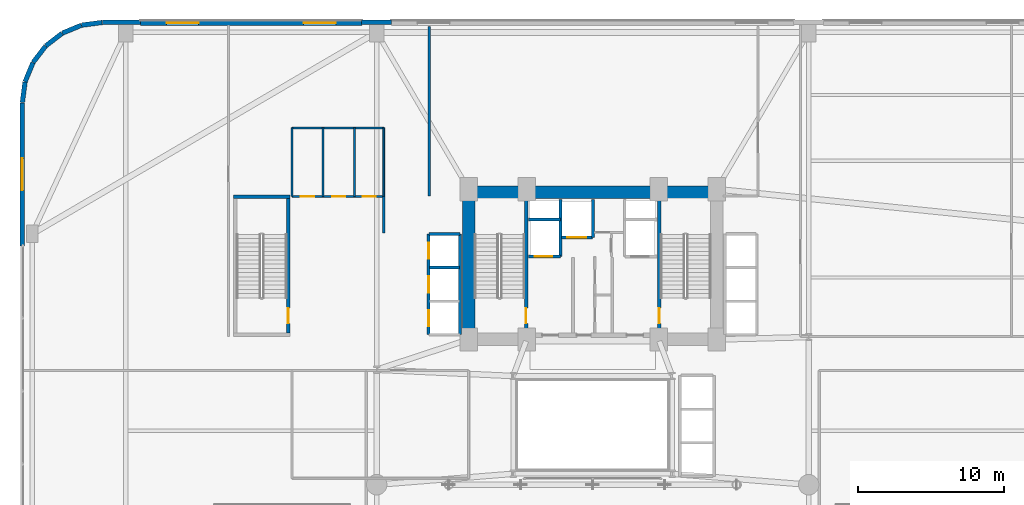
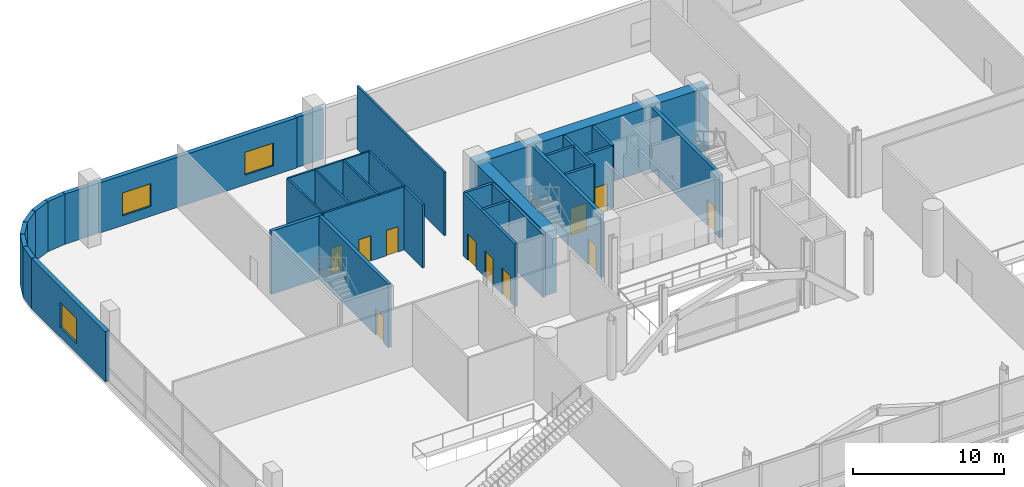
# One storey, part 27 of 36: 33 walls, 11 doors, 3 windows, 14 openings.
"""IFC4 building model written with IfcOpenShell, lengths in metres."""

from ifc_helpers import new_model, si_unit, direction, frame, frame_2d, origin, place, context, subcontext, project, spatial, rectangle, extrude, material, layer, layer_set, type_object, element, fill, save


model = new_model("IFC4")

# Units and contexts
model_context = context("Model", 3, precision=1e-05, world=origin(), true_north=direction((0.0, 1.0)))
body_context = subcontext(model_context, "Body", "Model", "MODEL_VIEW")
ifc_project = project(units=[si_unit("LENGTHUNIT", "METRE"), si_unit("AREAUNIT", "SQUARE_METRE"), si_unit("VOLUMEUNIT", "CUBIC_METRE"), si_unit("PLANEANGLEUNIT", "RADIAN"), si_unit("MASSUNIT", "GRAM", prefix="KILO")], contexts=[model_context])

# Site, building, storey
site_placement = place(None, origin())
site = spatial("IfcSite", under=ifc_project, at=site_placement, CompositionType="ELEMENT")
building_placement = place(site_placement, origin())
building = spatial("IfcBuilding", under=site, at=building_placement, Name="Varnelok Gate Tower", CompositionType="ELEMENT")
storey_placement = place(building_placement, frame((0.0, 0.0, 10.800048828125)))
storey = spatial("IfcBuildingStorey", under=building, at=storey_placement, Name="L02", CompositionType="ELEMENT", Elevation=10.800048828125)

# Wall, openings, windows
ifc_material_1 = material(Name="Concrete C45/55", Category="concrete")
ifc_layer_1 = layer(ifc_material_1, 0.320068359375)
ifc_layer_set_1 = layer_set([ifc_layer_1], Name="Concrete C45/55")
wall_type_1 = type_object("IfcWallType", Name="EW-POD-320", PredefinedType="SOLIDWALL", material=ifc_layer_set_1)
wall_1_placement = place(storey_placement, frame((8.199951171875, 50.43994140625, 0.0), z_axis=(0.0, 0.0, 1.0), x_axis=(1.0, 0.0, 0.0)))
wall_1 = element("IfcWall", 1, at=wall_1_placement, inside=storey, type_object=wall_type_1, Name="L02 North Podium Wall 1", PredefinedType="SOLIDWALL", context=body_context, shape_type="SweptSolid", body=[
    extrude(rectangle(XDim=15.199951171875, YDim=0.320068359375, at=frame_2d((7.60009765625, 0.0))), origin(), (0.0, 0.0, 1.0), 4.070068359375),
])
opening_1_placement = place(wall_1_placement, frame((1.800048828125, 0.0, 0.800048828125)))
opening_1 = element("IfcOpeningElement", 2, at=opening_1_placement, cuts=wall_1, Name="Opening WN2", PredefinedType="OPENING", context=body_context, shape_type="SweptSolid", body=[
    extrude(rectangle(XDim=2.199951171875, YDim=1.85009765625, at=frame_2d((1.10009765625, 0.925048828125))), frame((0.0, 0.169921875, 0.0), z_axis=(0.0, -1.0, 0.0), x_axis=(1.0, 0.0, 0.0)), (0.0, 0.0, 1.0), 0.340087890625),
])
opening_2_placement = place(wall_1_placement, frame((11.199951171875, 0.0, 0.800048828125)))
opening_2 = element("IfcOpeningElement", 3, at=opening_2_placement, cuts=wall_1, Name="Opening WN2", PredefinedType="OPENING", context=body_context, shape_type="SweptSolid", body=[
    extrude(rectangle(XDim=2.199951171875, YDim=1.85009765625, at=frame_2d((1.10009765625, 0.925048828125))), frame((0.0, 0.169921875, 0.0), z_axis=(0.0, -1.0, 0.0), x_axis=(1.0, 0.0, 0.0)), (0.0, 0.0, 1.0), 0.340087890625),
])
ifc_material_2 = material(Name="Low-E Laminated Double Glazing IGU", Category="glass")
window_type_1 = type_object("IfcWindowType", Name="WN-POD-2200", PartitioningType="SINGLE_PANEL", PredefinedType="WINDOW", material=ifc_material_2)
window_1_placement = place(opening_1_placement, origin())
window_1 = element("IfcWindow", 4, at=window_1_placement, inside=storey, type_object=window_type_1, Name="L02 Podium Window N1.1", OverallHeight=1.85009765625, OverallWidth=2.199951171875, PartitioningType="SINGLE_PANEL", PredefinedType="WINDOW", context=body_context, shape_type="SweptSolid", body=[
    extrude(rectangle(XDim=2.199951171875, YDim=1.85009765625, at=frame_2d((1.10009765625, 0.925048828125))), frame((0.0, 0.030029296875, 0.0), z_axis=(0.0, -1.0, 0.0), x_axis=(1.0, 0.0, 0.0)), (0.0, 0.0, 1.0), 0.06005859375),
])
fill(opening_1, window_1)
window_2_placement = place(opening_2_placement, origin())
window_2 = element("IfcWindow", 5, at=window_2_placement, inside=storey, type_object=window_type_1, Name="L02 Podium Window N1.2", OverallHeight=1.85009765625, OverallWidth=2.199951171875, PartitioningType="SINGLE_PANEL", PredefinedType="WINDOW", context=body_context, shape_type="SweptSolid", body=[
    extrude(rectangle(XDim=2.199951171875, YDim=1.85009765625, at=frame_2d((1.10009765625, 0.925048828125))), frame((0.0, 0.030029296875, 0.0), z_axis=(0.0, -1.0, 0.0), x_axis=(1.0, 0.0, 0.0)), (0.0, 0.0, 1.0), 0.06005859375),
])
fill(opening_2, window_2)

# Walls
wall_2_placement = place(storey_placement, frame((25.429931640625, 50.47998046875, 0.0), z_axis=(0.0, 0.0, 1.0), x_axis=(-1.0, 0.0, 0.0)))
element("IfcWall", 6, at=wall_2_placement, inside=storey, type_object=wall_type_1, Name="L02 Perimeter Facade Closure Wall 27", PredefinedType="SOLIDWALL", context=body_context, shape_type="SweptSolid", body=[
    extrude(rectangle(XDim=2.059814453125, YDim=0.320068359375, at=frame_2d((1.02978515625, 0.0))), origin(), (0.0, 0.0, 1.0), 4.070068359375),
])
wall_3_placement = place(storey_placement, frame((8.22998046875, 50.47998046875, 0.0), z_axis=(0.0, 0.0, 1.0), x_axis=(-1.0, 0.0, 0.0)))
element("IfcWall", 7, at=wall_3_placement, inside=storey, type_object=wall_type_1, Name="L02 Perimeter Facade Closure Wall 28", PredefinedType="SOLIDWALL", context=body_context, shape_type="SweptSolid", body=[
    extrude(rectangle(XDim=2.6220703125, YDim=0.320068359375, at=frame_2d((1.31103515625, 0.0))), origin(), (0.0, 0.0, 1.0), 4.070068359375),
])
wall_4_placement = place(storey_placement, frame((5.5830078125, 50.476806640625, 0.0), z_axis=(0.0, 0.0, 1.0), x_axis=(-0.991434880626, -0.130601981138, 0.0)))
element("IfcWall", 8, at=wall_4_placement, inside=storey, type_object=wall_type_1, Name="L02 Perimeter Facade Closure Wall 29", PredefinedType="SOLIDWALL", context=body_context, shape_type="SweptSolid", body=[
    extrude(rectangle(XDim=1.413330078125, YDim=0.320068359375, at=frame_2d((0.70654296875, 0.0))), origin(), (0.0, 0.0, 1.0), 4.070068359375),
])
wall_5_placement = place(storey_placement, frame((4.15869140625, 50.28271484375, 0.0), z_axis=(0.0, 0.0, 1.0), x_axis=(-0.923841042178, -0.382776343035, 0.0)))
element("IfcWall", 9, at=wall_5_placement, inside=storey, type_object=wall_type_1, Name="L02 Perimeter Facade Closure Wall 30", PredefinedType="SOLIDWALL", context=body_context, shape_type="SweptSolid", body=[
    extrude(rectangle(XDim=1.405029296875, YDim=0.320068359375, at=frame_2d((0.70263671875, 0.0))), origin(), (0.0, 0.0, 1.0), 4.070068359375),
])
wall_6_placement = place(storey_placement, frame((2.8408203125, 49.729736328125, 0.0), z_axis=(0.0, 0.0, 1.0), x_axis=(-0.79338541907, -0.60871962085, 0.0)))
element("IfcWall", 10, at=wall_6_placement, inside=storey, type_object=wall_type_1, Name="L02 Perimeter Facade Closure Wall 31", PredefinedType="SOLIDWALL", context=body_context, shape_type="SweptSolid", body=[
    extrude(rectangle(XDim=1.4052734375, YDim=0.320068359375, at=frame_2d((0.70263671875, 0.0))), origin(), (0.0, 0.0, 1.0), 4.070068359375),
])
wall_7_placement = place(storey_placement, frame((1.710693359375, 48.8544921875, 0.0), z_axis=(0.0, 0.0, 1.0), x_axis=(-0.608828954222, -0.793301521807, 0.0)))
element("IfcWall", 11, at=wall_7_placement, inside=storey, type_object=wall_type_1, Name="L02 Perimeter Facade Closure Wall 32", PredefinedType="SOLIDWALL", context=body_context, shape_type="SweptSolid", body=[
    extrude(rectangle(XDim=1.405517578125, YDim=0.320068359375, at=frame_2d((0.70263671875, 0.0))), origin(), (0.0, 0.0, 1.0), 4.070068359375),
])
wall_8_placement = place(storey_placement, frame((0.845703125, 47.71630859375, 0.0), z_axis=(0.0, 0.0, 1.0), x_axis=(-0.382924622758, -0.923779591291, 0.0)))
element("IfcWall", 12, at=wall_8_placement, inside=storey, type_object=wall_type_1, Name="L02 Perimeter Facade Closure Wall 33", PredefinedType="SOLIDWALL", context=body_context, shape_type="SweptSolid", body=[
    extrude(rectangle(XDim=1.4052734375, YDim=0.320068359375, at=frame_2d((0.70263671875, 0.0))), origin(), (0.0, 0.0, 1.0), 4.070068359375),
])
wall_9_placement = place(storey_placement, frame((0.304443359375, 46.393310546875, 0.0), z_axis=(0.0, 0.0, 1.0), x_axis=(-0.130432168094, -0.991457235349, 0.0)))
element("IfcWall", 13, at=wall_9_placement, inside=storey, type_object=wall_type_1, Name="L02 Perimeter Facade Closure Wall 34", PredefinedType="SOLIDWALL", context=body_context, shape_type="SweptSolid", body=[
    extrude(rectangle(XDim=1.4130859375, YDim=0.320068359375, at=frame_2d((0.70654296875, 0.0))), origin(), (0.0, 0.0, 1.0), 4.070068359375),
])

# Wall, opening, window
wall_10_placement = place(storey_placement, frame((0.1201171875, 44.967041015625, 0.0), z_axis=(0.0, 0.0, 1.0), x_axis=(0.0, -1.0, 0.0)))
wall_10 = element("IfcWall", 14, at=wall_10_placement, inside=storey, type_object=wall_type_1, Name="L02 Perimeter Facade Closure Wall 35", PredefinedType="SOLIDWALL", context=body_context, shape_type="SweptSolid", body=[
    extrude(rectangle(XDim=9.797119140625, YDim=0.320068359375, at=frame_2d((4.8984375, 0.0))), origin(), (0.0, 0.0, 1.0), 4.070068359375),
])
opening_3_placement = place(wall_10_placement, frame((3.798583984375, 0.0, 0.800048828125)))
opening_3 = element("IfcOpeningElement", 15, at=opening_3_placement, cuts=wall_10, Name="Opening WN2A", PredefinedType="OPENING", context=body_context, shape_type="SweptSolid", body=[
    extrude(rectangle(XDim=2.199951171875, YDim=2.0, at=frame_2d((1.10009765625, 1.0))), frame((0.0, 0.169921875, 0.0), z_axis=(0.0, -1.0, 0.0), x_axis=(1.0, 0.0, 0.0)), (0.0, 0.0, 1.0), 0.340087890625),
])
window_type_2 = type_object("IfcWindowType", Name="WN-POD-2200X2000", PartitioningType="SINGLE_PANEL", PredefinedType="WINDOW", material=ifc_material_2)
window_3_placement = place(opening_3_placement, origin())
window_3 = element("IfcWindow", 16, at=window_3_placement, inside=storey, type_object=window_type_2, Name="L02 Perimeter Vision Window 35", OverallHeight=2.0, OverallWidth=2.199951171875, PartitioningType="SINGLE_PANEL", PredefinedType="WINDOW", context=body_context, shape_type="SweptSolid", body=[
    extrude(rectangle(XDim=2.199951171875, YDim=2.0, at=frame_2d((1.10009765625, 1.0))), frame((0.0, 0.030029296875, 0.0), z_axis=(0.0, -1.0, 0.0), x_axis=(1.0, 0.0, 0.0)), (0.0, 0.0, 1.0), 0.06005859375),
])
fill(opening_3, window_3)

# Walls
ifc_material_3 = material(Name="Gypsum Plasterboard Acoustic Partition", Category="gypsum")
ifc_layer_2 = layer(ifc_material_3, 0.125)
ifc_layer_set_2 = layer_set([ifc_layer_2], Name="Gypsum Plasterboard Acoustic Partition")
wall_type_2 = type_object("IfcWallType", Name="PW-PART-125", PredefinedType="PARTITIONING", material=ifc_layer_set_2)
for number, where, z_axis, x_axis, name in (
    (17, (18.60009765625, 38.56005859375, 0.0), (0.0, 0.0, 1.0), (0.0, 1.0, 0.0), "Interior Partition"),
    (18, (20.719970703125, 38.56005859375, 0.0), (0.0, 0.0, 1.0), (0.0, 1.0, 0.0), "Interior Partition"),
    (19, (22.8798828125, 38.56005859375, 0.0), (0.0, 0.0, 1.0), (0.0, 1.0, 0.0), "Interior Partition"),
    (20, (24.8798828125, 38.56005859375, 0.0), (0.0, 0.0, 1.0), (0.0, 1.0, 0.0), "Interior Partition"),
):
    element("IfcWall", number, at=place(storey_placement, frame(where, z_axis=z_axis, x_axis=x_axis)), inside=storey, type_object=wall_type_2, Name=name, PredefinedType="PARTITIONING", context=body_context, shape_type="SweptSolid", body=[
        extrude(rectangle(XDim=4.68994140625, YDim=0.125, at=frame_2d((2.344970703125, 0.0))), origin(), (0.0, 0.0, 1.0), 5.119873046875),
    ])
wall_11_placement = place(storey_placement, frame((18.60009765625, 43.25, 0.0), z_axis=(0.0, 0.0, 1.0), x_axis=(1.0, 0.0, 0.0)))
element("IfcWall", 21, at=wall_11_placement, inside=storey, type_object=wall_type_2, Name="Interior Partition", PredefinedType="PARTITIONING", context=body_context, shape_type="SweptSolid", body=[
    extrude(rectangle(XDim=6.27978515625, YDim=0.125, at=frame_2d((3.139892578125, 0.0))), origin(), (0.0, 0.0, 1.0), 5.119873046875),
])
ifc_layer_3 = layer(ifc_material_3, 0.14990234375)
ifc_layer_set_3 = layer_set([ifc_layer_3], Name="Gypsum Plasterboard Acoustic Partition")
wall_type_3 = type_object("IfcWallType", Name="PW-PART-150", PredefinedType="PARTITIONING", material=ifc_layer_set_3)
wall_12_placement = place(storey_placement, frame((24.8798828125, 36.050048828125, 0.0), z_axis=(0.0, 0.0, 1.0), x_axis=(0.0, 1.0, 0.0)))
element("IfcWall", 22, at=wall_12_placement, inside=storey, type_object=wall_type_3, Name="Interior Partition", PredefinedType="PARTITIONING", context=body_context, shape_type="SweptSolid", body=[
    extrude(rectangle(XDim=2.510009765625, YDim=0.14990234375, at=frame_2d((1.2548828125, 0.0))), origin(), (0.0, 0.0, 1.0), 5.119873046875),
])

# Wall, openings, doors
wall_13_placement = place(storey_placement, frame((18.60009765625, 38.56005859375, 0.0), z_axis=(0.0, 0.0, 1.0), x_axis=(1.0, 0.0, 0.0)))
wall_13 = element("IfcWall", 23, at=wall_13_placement, inside=storey, type_object=wall_type_3, Name="Interior Partition", PredefinedType="PARTITIONING", context=body_context, shape_type="SweptSolid", body=[
    extrude(rectangle(XDim=6.27978515625, YDim=0.14990234375, at=frame_2d((3.139892578125, 0.0))), origin(), (0.0, 0.0, 1.0), 5.119873046875),
])
opening_4_placement = place(wall_13_placement, frame((0.613525390625, 0.0, 0.0)))
opening_4 = element("IfcOpeningElement", 24, at=opening_4_placement, cuts=wall_13, Name="Opening D-WC", PredefinedType="OPENING", context=body_context, shape_type="SweptSolid", body=[
    extrude(rectangle(XDim=0.89990234375, YDim=2.050048828125, at=frame_2d((0.449951171875, 1.02490234375))), frame((0.0, 0.0849609375, 0.0), z_axis=(0.0, -1.0, 0.0), x_axis=(1.0, 0.0, 0.0)), (0.0, 0.0, 1.0), 0.169921875),
])
opening_5_placement = place(wall_13_placement, frame((2.75, 0.0, 0.0)))
opening_5 = element("IfcOpeningElement", 25, at=opening_5_placement, cuts=wall_13, Name="Opening D-WC", PredefinedType="OPENING", context=body_context, shape_type="SweptSolid", body=[
    extrude(rectangle(XDim=0.89990234375, YDim=2.050048828125, at=frame_2d((0.449951171875, 1.02490234375))), frame((0.0, 0.0849609375, 0.0), z_axis=(0.0, -1.0, 0.0), x_axis=(1.0, 0.0, 0.0)), (0.0, 0.0, 1.0), 0.169921875),
])
opening_6_placement = place(wall_13_placement, frame((4.83642578125, 0.0, 0.0)))
opening_6 = element("IfcOpeningElement", 26, at=opening_6_placement, cuts=wall_13, Name="Opening D-WC", PredefinedType="OPENING", context=body_context, shape_type="SweptSolid", body=[
    extrude(rectangle(XDim=0.89990234375, YDim=2.050048828125, at=frame_2d((0.449951171875, 1.02490234375))), frame((0.0, 0.0849609375, 0.0), z_axis=(0.0, -1.0, 0.0), x_axis=(1.0, 0.0, 0.0)), (0.0, 0.0, 1.0), 0.169921875),
])
ifc_material_4 = material(Name="Engineered Hardwood Timber", Category="wood")
door_type_1 = type_object("IfcDoorType", Name="DR-BATH-900", OperationType="NOTDEFINED", PredefinedType="DOOR", material=ifc_material_4)
door_1_placement = place(opening_4_placement, origin())
door_1 = element("IfcDoor", 27, at=door_1_placement, inside=storey, type_object=door_type_1, Name="L02 Male WC Door", OperationType="SINGLE_SWING_LEFT", OverallHeight=2.050048828125, OverallWidth=0.89990234375, PredefinedType="DOOR", context=body_context, shape_type="SweptSolid", body=[
    extrude(rectangle(XDim=0.89990234375, YDim=2.050048828125, at=frame_2d((0.449951171875, 1.02490234375))), frame((0.0, 0.02490234375, 0.0), z_axis=(0.0, -1.0, 0.0), x_axis=(1.0, 0.0, 0.0)), (0.0, 0.0, 1.0), 0.050048828125),
])
fill(opening_4, door_1)
door_2_placement = place(opening_5_placement, origin())
door_2 = element("IfcDoor", 28, at=door_2_placement, inside=storey, type_object=door_type_1, Name="L02 Female WC Door", OperationType="SINGLE_SWING_RIGHT", OverallHeight=2.050048828125, OverallWidth=0.89990234375, PredefinedType="DOOR", context=body_context, shape_type="SweptSolid", body=[
    extrude(rectangle(XDim=0.89990234375, YDim=2.050048828125, at=frame_2d((0.449951171875, 1.02490234375))), frame((0.0, 0.02490234375, 0.0), z_axis=(0.0, -1.0, 0.0), x_axis=(1.0, 0.0, 0.0)), (0.0, 0.0, 1.0), 0.050048828125),
])
fill(opening_5, door_2)
door_3_placement = place(opening_6_placement, origin())
door_3 = element("IfcDoor", 29, at=door_3_placement, inside=storey, type_object=door_type_1, Name="L02 Accessible WC Door", OperationType="SINGLE_SWING_LEFT", OverallHeight=2.050048828125, OverallWidth=0.89990234375, PredefinedType="DOOR", context=body_context, shape_type="SweptSolid", body=[
    extrude(rectangle(XDim=0.89990234375, YDim=2.050048828125, at=frame_2d((0.449951171875, 1.02490234375))), frame((0.0, 0.02490234375, 0.0), z_axis=(0.0, -1.0, 0.0), x_axis=(1.0, 0.0, 0.0)), (0.0, 0.0, 1.0), 0.050048828125),
])
fill(opening_6, door_3)

# Wall
wall_14_placement = place(storey_placement, frame((28.0, 38.580078125, 0.0), z_axis=(0.0, 0.0, 1.0), x_axis=(0.0, 1.0, 0.0)))
element("IfcWall", 30, at=wall_14_placement, inside=storey, type_object=wall_type_3, Name="Interior Partition", PredefinedType="PARTITIONING", context=body_context, shape_type="SweptSolid", body=[
    extrude(rectangle(XDim=11.619873046875, YDim=0.14990234375, at=frame_2d((5.81005859375, 0.0))), origin(), (0.0, 0.0, 1.0), 5.119873046875),
])

# Wall, opening, door
ifc_material_5 = material(Name="Concrete C35/45", Category="concrete")
ifc_layer_4 = layer(ifc_material_5, 0.199951171875)
ifc_layer_set_4 = layer_set([ifc_layer_4], Name="Concrete C35/45")
wall_type_4 = type_object("IfcWallType", Name="PW-SHAFT-200", PredefinedType="PARTITIONING", material=ifc_layer_set_4)
wall_15_placement = place(storey_placement, frame((34.800048828125, 34.43994140625, 0.0), z_axis=(0.0, 0.0, 1.0), x_axis=(1.0, 0.0, 0.0)))
wall_15 = element("IfcWall", 31, at=wall_15_placement, inside=storey, type_object=wall_type_4, Name="L02 FF1 Shaft Front Wall", PredefinedType="PARTITIONING", context=body_context, shape_type="SweptSolid", body=[
    extrude(rectangle(XDim=2.179931640625, YDim=0.199951171875, at=frame_2d((1.08984375, 0.0))), origin(), (0.0, 0.0, 1.0), 5.119873046875),
])
opening_7_placement = place(wall_15_placement, frame((0.419921875, 0.0, 0.0)))
opening_7 = element("IfcOpeningElement", 32, at=opening_7_placement, cuts=wall_15, Name="Opening LD-FF1", PredefinedType="OPENING", context=body_context, shape_type="SweptSolid", body=[
    extrude(rectangle(XDim=1.199951171875, YDim=2.199951171875, at=frame_2d((0.60009765625, 1.10009765625))), frame((0.0, 0.10986328125, 0.0), z_axis=(0.0, -1.0, 0.0), x_axis=(1.0, 0.0, 0.0)), (0.0, 0.0, 1.0), 0.219970703125),
])
ifc_material_6 = material(Name="Galvanized Steel Grade S350GD", Category="steel")
door_type_2 = type_object("IfcDoorType", Name="DR-LIFT-FF1200", OperationType="SLIDING_TO_LEFT", PredefinedType="DOOR", material=ifc_material_6)
door_4_placement = place(opening_7_placement, origin())
door_4 = element("IfcDoor", 33, at=door_4_placement, inside=storey, type_object=door_type_2, Name="L02 Firefighting Lift Landing Door LD-FF1", OperationType="SLIDING_TO_LEFT", OverallHeight=2.199951171875, OverallWidth=1.199951171875, PredefinedType="DOOR", context=body_context, shape_type="SweptSolid", body=[
    extrude(rectangle(XDim=1.199951171875, YDim=2.199951171875, at=frame_2d((0.60009765625, 1.10009765625))), frame((0.0, 0.02490234375, 0.0), z_axis=(0.0, -1.0, 0.0), x_axis=(1.0, 0.0, 0.0)), (0.0, 0.0, 1.0), 0.050048828125),
])
fill(opening_7, door_4)

# Walls
wall_16_placement = place(storey_placement, frame((34.800048828125, 36.97998046875, 0.0), z_axis=(0.0, 0.0, 1.0), x_axis=(1.0, 0.0, 0.0)))
element("IfcWall", 34, at=wall_16_placement, inside=storey, type_object=wall_type_4, Name="L02 FF1 Shaft North Wall", PredefinedType="PARTITIONING", context=body_context, shape_type="SweptSolid", body=[
    extrude(rectangle(XDim=2.179931640625, YDim=0.199951171875, at=frame_2d((1.08984375, 0.0))), origin(), (0.0, 0.0, 1.0), 5.119873046875),
])
wall_17_placement = place(storey_placement, frame((37.0, 34.43994140625, 0.0), z_axis=(0.0, 0.0, 1.0), x_axis=(0.0, 1.0, 0.0)))
element("IfcWall", 35, at=wall_17_placement, inside=storey, type_object=wall_type_4, Name="L02 FF1 Shaft Side Wall", PredefinedType="PARTITIONING", context=body_context, shape_type="SweptSolid", body=[
    extrude(rectangle(XDim=3.900146484375, YDim=0.199951171875, at=frame_2d((1.9501953125, 0.0))), origin(), (0.0, 0.0, 1.0), 5.119873046875),
])

# Wall, opening, door
wall_18_placement = place(storey_placement, frame((37.06005859375, 35.75, 0.0), z_axis=(0.0, 0.0, 1.0), x_axis=(1.0, 0.0, 0.0)))
wall_18 = element("IfcWall", 36, at=wall_18_placement, inside=storey, type_object=wall_type_4, Name="L02 SV1 Shaft Front Wall", PredefinedType="PARTITIONING", context=body_context, shape_type="SweptSolid", body=[
    extrude(rectangle(XDim=2.119873046875, YDim=0.199951171875, at=frame_2d((1.06005859375, 0.0))), origin(), (0.0, 0.0, 1.0), 5.119873046875),
])
opening_8_placement = place(wall_18_placement, frame((0.39990234375, 0.0, 0.0)))
opening_8 = element("IfcOpeningElement", 37, at=opening_8_placement, cuts=wall_18, Name="Opening LD-SV1", PredefinedType="OPENING", context=body_context, shape_type="SweptSolid", body=[
    extrude(rectangle(XDim=1.300048828125, YDim=2.199951171875, at=frame_2d((0.64990234375, 1.10009765625))), frame((0.0, 0.10986328125, 0.0), z_axis=(0.0, -1.0, 0.0), x_axis=(1.0, 0.0, 0.0)), (0.0, 0.0, 1.0), 0.219970703125),
])
door_type_3 = type_object("IfcDoorType", Name="DR-LIFT-SV1300", OperationType="SLIDING_TO_LEFT", PredefinedType="DOOR", material=ifc_material_6)
door_5_placement = place(opening_8_placement, origin())
door_5 = element("IfcDoor", 38, at=door_5_placement, inside=storey, type_object=door_type_3, Name="L02 Service Lift Landing Door LD-SV1", OperationType="SLIDING_TO_LEFT", OverallHeight=2.199951171875, OverallWidth=1.300048828125, PredefinedType="DOOR", context=body_context, shape_type="SweptSolid", body=[
    extrude(rectangle(XDim=1.300048828125, YDim=2.199951171875, at=frame_2d((0.64990234375, 1.10009765625))), frame((0.0, 0.02490234375, 0.0), z_axis=(0.0, -1.0, 0.0), x_axis=(1.0, 0.0, 0.0)), (0.0, 0.0, 1.0), 0.050048828125),
])
fill(opening_8, door_5)

# Walls
wall_19_placement = place(storey_placement, frame((39.219970703125, 35.75, 0.0), z_axis=(0.0, 0.0, 1.0), x_axis=(0.0, 1.0, 0.0)))
element("IfcWall", 39, at=wall_19_placement, inside=storey, type_object=wall_type_4, Name="L02 SV1 Shaft East Wall", PredefinedType="PARTITIONING", context=body_context, shape_type="SweptSolid", body=[
    extrude(rectangle(XDim=2.590087890625, YDim=0.199951171875, at=frame_2d((1.294921875, 0.0))), origin(), (0.0, 0.0, 1.0), 5.119873046875),
])
wall_20_placement = place(storey_placement, frame((28.02001953125, 33.675048828125, 0.0), z_axis=(0.0, 0.0, 1.0), x_axis=(1.0, 0.0, 0.0)))
element("IfcWall", 40, at=wall_20_placement, inside=storey, type_object=wall_type_4, Name="L02 PL2 Divider", PredefinedType="PARTITIONING", context=body_context, shape_type="SweptSolid", body=[
    extrude(rectangle(XDim=2.06005859375, YDim=0.199951171875, at=frame_2d((1.030029296875, 0.0))), origin(), (0.0, 0.0, 1.0), 5.119873046875),
])
wall_21_placement = place(storey_placement, frame((28.0, 35.969970703125, 0.0), z_axis=(0.0, 0.0, 1.0), x_axis=(1.0, 0.0, 0.0)))
element("IfcWall", 41, at=wall_21_placement, inside=storey, type_object=wall_type_4, Name="L02 PL Bank North Wall", PredefinedType="PARTITIONING", context=body_context, shape_type="SweptSolid", body=[
    extrude(rectangle(XDim=2.10009765625, YDim=0.199951171875, at=frame_2d((1.050048828125, 0.0))), origin(), (0.0, 0.0, 1.0), 5.119873046875),
])
wall_22_placement = place(storey_placement, frame((30.1201171875, 29.080078125, 0.0), z_axis=(0.0, 0.0, 1.0), x_axis=(0.0, 1.0, 0.0)))
element("IfcWall", 42, at=wall_22_placement, inside=storey, type_object=wall_type_4, Name="L02 PL Bank Back Wall", PredefinedType="PARTITIONING", context=body_context, shape_type="SweptSolid", body=[
    extrude(rectangle(XDim=6.889892578125, YDim=0.199951171875, at=frame_2d((3.44482421875, 0.0))), origin(), (0.0, 0.0, 1.0), 5.119873046875),
])

# Wall, openings, doors
wall_23_placement = place(storey_placement, frame((27.9599609375, 29.080078125, 0.0), z_axis=(0.0, 0.0, 1.0), x_axis=(0.0, 1.0, 0.0)))
wall_23 = element("IfcWall", 43, at=wall_23_placement, inside=storey, type_object=wall_type_4, Name="L02 PL Bank Front Wall", PredefinedType="PARTITIONING", context=body_context, shape_type="SweptSolid", body=[
    extrude(rectangle(XDim=6.889892578125, YDim=0.199951171875, at=frame_2d((3.44482421875, 0.0))), origin(), (0.0, 0.0, 1.0), 5.119873046875),
])
opening_9_placement = place(wall_23_placement, frame((0.590087890625, 0.0, 0.0)))
opening_9 = element("IfcOpeningElement", 44, at=opening_9_placement, cuts=wall_23, Name="Opening LD-PL1", PredefinedType="OPENING", context=body_context, shape_type="SweptSolid", body=[
    extrude(rectangle(XDim=1.10009765625, YDim=2.14990234375, at=frame_2d((0.550048828125, 1.074951171875))), frame((0.0, 0.10986328125, 0.0), z_axis=(0.0, -1.0, 0.0), x_axis=(1.0, 0.0, 0.0)), (0.0, 0.0, 1.0), 0.219970703125),
])
opening_10_placement = place(wall_23_placement, frame((2.889892578125, 0.0, 0.0)))
opening_10 = element("IfcOpeningElement", 45, at=opening_10_placement, cuts=wall_23, Name="Opening LD-PL2", PredefinedType="OPENING", context=body_context, shape_type="SweptSolid", body=[
    extrude(rectangle(XDim=1.10009765625, YDim=2.14990234375, at=frame_2d((0.550048828125, 1.074951171875))), frame((0.0, 0.10986328125, 0.0), z_axis=(0.0, -1.0, 0.0), x_axis=(1.0, 0.0, 0.0)), (0.0, 0.0, 1.0), 0.219970703125),
])
opening_11_placement = place(wall_23_placement, frame((5.18994140625, 0.0, 0.0)))
opening_11 = element("IfcOpeningElement", 46, at=opening_11_placement, cuts=wall_23, Name="Opening LD-PL3", PredefinedType="OPENING", context=body_context, shape_type="SweptSolid", body=[
    extrude(rectangle(XDim=1.10009765625, YDim=2.14990234375, at=frame_2d((0.550048828125, 1.074951171875))), frame((0.0, 0.10986328125, 0.0), z_axis=(0.0, -1.0, 0.0), x_axis=(1.0, 0.0, 0.0)), (0.0, 0.0, 1.0), 0.219970703125),
])
door_type_4 = type_object("IfcDoorType", Name="DR-LIFT-PAX1100", OperationType="SLIDING_TO_LEFT", PredefinedType="DOOR", material=ifc_material_6)
door_6_placement = place(opening_9_placement, origin())
door_6 = element("IfcDoor", 47, at=door_6_placement, inside=storey, type_object=door_type_4, Name="L02 Passenger Lift Landing Door LD-PL1", OperationType="SLIDING_TO_LEFT", OverallHeight=2.14990234375, OverallWidth=1.10009765625, PredefinedType="DOOR", context=body_context, shape_type="SweptSolid", body=[
    extrude(rectangle(XDim=1.10009765625, YDim=2.14990234375, at=frame_2d((0.550048828125, 1.074951171875))), frame((0.0, 0.02490234375, 0.0), z_axis=(0.0, -1.0, 0.0), x_axis=(1.0, 0.0, 0.0)), (0.0, 0.0, 1.0), 0.050048828125),
])
fill(opening_9, door_6)
door_7_placement = place(opening_10_placement, origin())
door_7 = element("IfcDoor", 48, at=door_7_placement, inside=storey, type_object=door_type_4, Name="L02 Passenger Lift Landing Door LD-PL2", OperationType="SLIDING_TO_LEFT", OverallHeight=2.14990234375, OverallWidth=1.10009765625, PredefinedType="DOOR", context=body_context, shape_type="SweptSolid", body=[
    extrude(rectangle(XDim=1.10009765625, YDim=2.14990234375, at=frame_2d((0.550048828125, 1.074951171875))), frame((0.0, 0.02490234375, 0.0), z_axis=(0.0, -1.0, 0.0), x_axis=(1.0, 0.0, 0.0)), (0.0, 0.0, 1.0), 0.050048828125),
])
fill(opening_10, door_7)
door_8_placement = place(opening_11_placement, origin())
door_8 = element("IfcDoor", 49, at=door_8_placement, inside=storey, type_object=door_type_4, Name="L02 Passenger Lift Landing Door LD-PL3", OperationType="SLIDING_TO_LEFT", OverallHeight=2.14990234375, OverallWidth=1.10009765625, PredefinedType="DOOR", context=body_context, shape_type="SweptSolid", body=[
    extrude(rectangle(XDim=1.10009765625, YDim=2.14990234375, at=frame_2d((0.550048828125, 1.074951171875))), frame((0.0, 0.02490234375, 0.0), z_axis=(0.0, -1.0, 0.0), x_axis=(1.0, 0.0, 0.0)), (0.0, 0.0, 1.0), 0.050048828125),
])
fill(opening_11, door_8)

# Walls
ifc_material_7 = material(Name="Concrete C70/85", Category="concrete")
ifc_layer_5 = layer(ifc_material_7, 0.85009765625)
ifc_layer_set_5 = layer_set([ifc_layer_5], Name="Concrete C70/85")
wall_type_5 = type_object("IfcWallType", Name="SW-CORE-850", PredefinedType="SHEAR", material=ifc_layer_set_5)
wall_24_placement = place(storey_placement, frame((30.280029296875, 38.844970703125, 0.0), z_axis=(0.0, 0.0, 1.0), x_axis=(1.0, 0.0, 0.0)))
element("IfcWall", 50, at=wall_24_placement, inside=storey, type_object=wall_type_5, Name="L02 Rear Core North Shear Wall", PredefinedType="SHEAR", context=body_context, shape_type="SweptSolid", body=[
    extrude(rectangle(XDim=17.840087890625, YDim=0.85009765625, at=frame_2d((8.919921875, 0.0))), origin(), (0.0, 0.0, 1.0), 5.119873046875),
])
wall_25_placement = place(storey_placement, frame((30.705078125, 29.199951171875, 0.0), z_axis=(0.0, 0.0, 1.0), x_axis=(0.0, 1.0, 0.0)))
element("IfcWall", 51, at=wall_25_placement, inside=storey, type_object=wall_type_5, Name="L02 Rear Core West Shear Wall", PredefinedType="SHEAR", context=body_context, shape_type="SweptSolid", body=[
    extrude(rectangle(XDim=9.219970703125, YDim=0.85009765625, at=frame_2d((4.60986328125, 0.0))), origin(), (0.0, 0.0, 1.0), 5.119873046875),
])

# Wall, opening, door
ifc_material_8 = material(Name="Concrete C60/75", Category="concrete")
ifc_layer_6 = layer(ifc_material_8, 0.25)
ifc_layer_set_6 = layer_set([ifc_layer_6], Name="Concrete C60/75")
wall_type_6 = type_object("IfcWallType", Name="SW-SHAFT-250", PredefinedType="SHEAR", material=ifc_layer_set_6)
wall_26_placement = place(storey_placement, frame((34.639892578125, 29.199951171875, 0.0), z_axis=(0.0, 0.0, 1.0), x_axis=(0.0, 1.0, 0.0)))
wall_26 = element("IfcWall", 52, at=wall_26_placement, inside=storey, type_object=wall_type_6, Name="L02 Stair ST-1 East Shear Wall", PredefinedType="SHEAR", context=body_context, shape_type="SweptSolid", body=[
    extrude(rectangle(XDim=9.219970703125, YDim=0.25, at=frame_2d((4.60986328125, 0.0))), origin(), (0.0, 0.0, 1.0), 5.119873046875),
])
opening_12_placement = place(wall_26_placement, frame((0.64990234375, 0.0, 0.0)))
opening_12 = element("IfcOpeningElement", 53, at=opening_12_placement, cuts=wall_26, Name="Opening D-ST", PredefinedType="OPENING", context=body_context, shape_type="SweptSolid", body=[
    extrude(rectangle(XDim=1.050048828125, YDim=2.14990234375, at=frame_2d((0.52490234375, 1.074951171875))), frame((0.0, 0.135009765625, 0.0), z_axis=(0.0, -1.0, 0.0), x_axis=(1.0, 0.0, 0.0)), (0.0, 0.0, 1.0), 0.27001953125),
])
door_type_5 = type_object("IfcDoorType", Name="DR-STAIR-1050", OperationType="NOTDEFINED", PredefinedType="DOOR", material=ifc_material_6)
door_9_placement = place(opening_12_placement, origin())
door_9 = element("IfcDoor", 54, at=door_9_placement, inside=storey, type_object=door_type_5, Name="L02 Exit Stair ST-1 Fire Door", OperationType="SINGLE_SWING_LEFT", OverallHeight=2.14990234375, OverallWidth=1.050048828125, PredefinedType="DOOR", context=body_context, shape_type="SweptSolid", body=[
    extrude(rectangle(XDim=1.050048828125, YDim=2.14990234375, at=frame_2d((0.52490234375, 1.074951171875))), frame((0.0, 0.02490234375, 0.0), z_axis=(0.0, -1.0, 0.0), x_axis=(1.0, 0.0, 0.0)), (0.0, 0.0, 1.0), 0.050048828125),
])
fill(opening_12, door_9)

wall_27_placement = place(storey_placement, frame((43.760009765625, 29.199951171875, 0.0), z_axis=(0.0, 0.0, 1.0), x_axis=(0.0, 1.0, 0.0)))
wall_27 = element("IfcWall", 55, at=wall_27_placement, inside=storey, type_object=wall_type_6, Name="L02 Stair ST-2 West Shear Wall", PredefinedType="SHEAR", context=body_context, shape_type="SweptSolid", body=[
    extrude(rectangle(XDim=9.219970703125, YDim=0.25, at=frame_2d((4.60986328125, 0.0))), origin(), (0.0, 0.0, 1.0), 5.119873046875),
])
opening_13_placement = place(wall_27_placement, frame((0.64990234375, 0.0, 0.0)))
opening_13 = element("IfcOpeningElement", 56, at=opening_13_placement, cuts=wall_27, Name="Opening D-ST", PredefinedType="OPENING", context=body_context, shape_type="SweptSolid", body=[
    extrude(rectangle(XDim=1.050048828125, YDim=2.14990234375, at=frame_2d((0.52490234375, 1.074951171875))), frame((0.0, 0.135009765625, 0.0), z_axis=(0.0, -1.0, 0.0), x_axis=(1.0, 0.0, 0.0)), (0.0, 0.0, 1.0), 0.27001953125),
])
door_10_placement = place(opening_13_placement, origin())
door_10 = element("IfcDoor", 57, at=door_10_placement, inside=storey, type_object=door_type_5, Name="L02 Exit Stair ST-2 Fire Door", OperationType="SINGLE_SWING_RIGHT", OverallHeight=2.14990234375, OverallWidth=1.050048828125, PredefinedType="DOOR", context=body_context, shape_type="SweptSolid", body=[
    extrude(rectangle(XDim=1.050048828125, YDim=2.14990234375, at=frame_2d((0.52490234375, 1.074951171875))), frame((0.0, 0.02490234375, 0.0), z_axis=(0.0, -1.0, 0.0), x_axis=(1.0, 0.0, 0.0)), (0.0, 0.0, 1.0), 0.050048828125),
])
fill(opening_13, door_10)

wall_28_placement = place(storey_placement, frame((18.344970703125, 29.199951171875, 0.0), z_axis=(0.0, 0.0, 1.0), x_axis=(0.0, 1.0, 0.0)))
wall_28 = element("IfcWall", 58, at=wall_28_placement, inside=storey, type_object=wall_type_6, Name="L02 Stair ST-3 East Shear Wall", PredefinedType="SHEAR", context=body_context, shape_type="SweptSolid", body=[
    extrude(rectangle(XDim=9.219970703125, YDim=0.25, at=frame_2d((4.60986328125, 0.0))), origin(), (0.0, 0.0, 1.0), 5.119873046875),
])
opening_14_placement = place(wall_28_placement, frame((0.64990234375, 0.0, 0.0)))
opening_14 = element("IfcOpeningElement", 59, at=opening_14_placement, cuts=wall_28, Name="Opening D-ST", PredefinedType="OPENING", context=body_context, shape_type="SweptSolid", body=[
    extrude(rectangle(XDim=1.050048828125, YDim=2.14990234375, at=frame_2d((0.52490234375, 1.074951171875))), frame((0.0, 0.135009765625, 0.0), z_axis=(0.0, -1.0, 0.0), x_axis=(1.0, 0.0, 0.0)), (0.0, 0.0, 1.0), 0.27001953125),
])
door_11_placement = place(opening_14_placement, origin())
door_11 = element("IfcDoor", 60, at=door_11_placement, inside=storey, type_object=door_type_5, Name="L02 Podium Stair ST-3 Fire Door", OperationType="SINGLE_SWING_LEFT", OverallHeight=2.14990234375, OverallWidth=1.050048828125, PredefinedType="DOOR", context=body_context, shape_type="SweptSolid", body=[
    extrude(rectangle(XDim=1.050048828125, YDim=2.14990234375, at=frame_2d((0.52490234375, 1.074951171875))), frame((0.0, 0.02490234375, 0.0), z_axis=(0.0, -1.0, 0.0), x_axis=(1.0, 0.0, 0.0)), (0.0, 0.0, 1.0), 0.050048828125),
])
fill(opening_14, door_11)

# Wall
wall_29_placement = place(storey_placement, frame((14.580078125, 38.544921875, 0.0), z_axis=(0.0, 0.0, 1.0), x_axis=(1.0, 0.0, 0.0)))
element("IfcWall", 61, at=wall_29_placement, inside=storey, type_object=wall_type_6, Name="L02 Stair ST-3 North Shear Wall", PredefinedType="SHEAR", context=body_context, shape_type="SweptSolid", body=[
    extrude(rectangle(XDim=3.889892578125, YDim=0.25, at=frame_2d((1.94482421875, 0.0))), origin(), (0.0, 0.0, 1.0), 5.119873046875),
])

save(model, "model.ifc")
